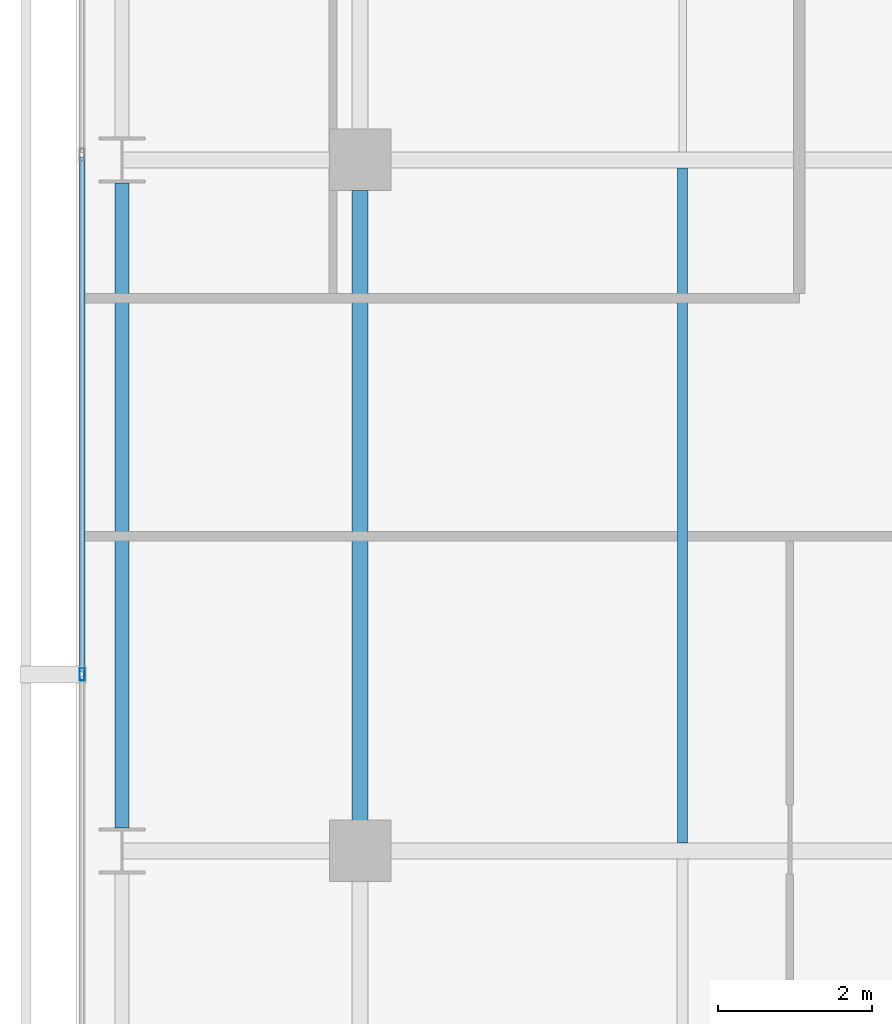
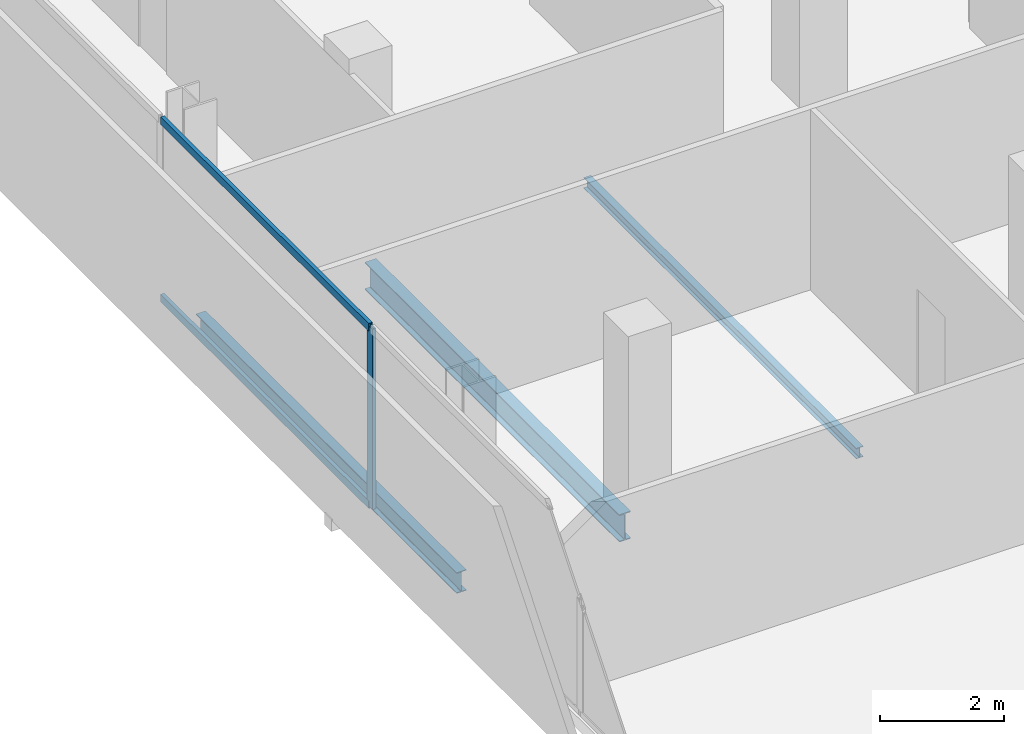
# One storey, part 10 of 32: 3 beams, 3 members, 1 element without a shape of its own.
"""IFC4 building model written with IfcOpenShell, lengths in metres."""

import ifcopenshell
import ifcopenshell.guid

model = None  # the IFC model being written
_history = None  # IfcOwnerHistory: only IFC2X3 demands one
_inside = {}  # id of a spatial element -> (the spatial element, [elements in it])
_under = {}  # id of a project, library or spatial element -> (it, [spatial elements below it])
_declared = {}  # id of a project -> (the project, [libraries it declares])
_typed = {}  # id of a type object -> (the type object, [elements of that type])
_made_of = {}  # id of a material, layer set ... -> (it, [elements and type objects made of it])


def new_model(schema):
    """Start an empty IFC model of exactly this schema.

    Asked for "IFC4X3", IfcOpenShell would pick the latest addendum, in which some entities
    have other attributes; the version numbers below select the first issue.
    IFC2X3 requires an IfcOwnerHistory on every rooted entity: one is made here for all.
    """
    global model, _history
    if schema == "IFC4X3":
        model = ifcopenshell.file(schema_version=(4, 3, 0, 0))
    else:
        model = ifcopenshell.file(schema=schema)
    _inside.clear()
    _under.clear()
    _declared.clear()
    _typed.clear()
    _made_of.clear()
    _history = None
    if model.schema == "IFC2X3":
        org = make("IfcOrganization", Name="unknown")
        user = make(
            "IfcPersonAndOrganization",
            ThePerson=make("IfcPerson", FamilyName="unknown"),
            TheOrganization=org,
        )
        app = make(
            "IfcApplication",
            ApplicationDeveloper=org,
            Version="unknown",
            ApplicationFullName="unknown",
            ApplicationIdentifier="unknown",
        )
        _history = make(
            "IfcOwnerHistory",
            OwningUser=user,
            OwningApplication=app,
            ChangeAction="ADDED",
            CreationDate=0,
        )
    return model


def make(cls, **values):
    """One entity of the class cls with the attributes given. An attribute that is None is left unset."""
    return model.create_entity(
        cls, **{name: value for name, value in values.items() if value is not None}
    )


def rooted(cls, **values):
    """An entity with a GlobalId (a new one), such as an element, a storey or a relation."""
    return make(cls, GlobalId=ifcopenshell.guid.new(), OwnerHistory=_history, **values)


def si_unit(unit_type, name, prefix=None):
    """IfcSIUnit, for example si_unit("LENGTHUNIT", "METRE", prefix="MILLI")."""
    return make("IfcSIUnit", UnitType=unit_type, Prefix=prefix, Name=name)


def assignment(units):
    """IfcUnitAssignment: the units of a project."""
    return None if units is None else make("IfcUnitAssignment", Units=units)


def point(xyz):
    """IfcCartesianPoint."""
    return None if xyz is None else make("IfcCartesianPoint", Coordinates=xyz)


def direction(xyz):
    """IfcDirection."""
    return None if xyz is None else make("IfcDirection", DirectionRatios=xyz)


def frame(location, z_axis=None, x_axis=None):
    """IfcAxis2Placement3D, a coordinate frame: its origin and axes. An axis left out is left unset."""
    return make(
        "IfcAxis2Placement3D",
        Location=point(location),
        Axis=direction(z_axis),
        RefDirection=direction(x_axis),
    )


def frame_2d(location, x_axis=None):
    """IfcAxis2Placement2D, a coordinate frame in the plane: its origin and x axis."""
    return make(
        "IfcAxis2Placement2D", Location=point(location), RefDirection=direction(x_axis)
    )


def origin():
    """The frame at (0, 0, 0) with its axes left unset."""
    return frame((0.0, 0.0, 0.0))


def origin_2d():
    """The frame at (0, 0) in the plane with its x axis left unset."""
    return frame_2d((0.0, 0.0))


def place(relative_to, where):
    """IfcLocalPlacement: puts the frame where relative to a parent placement (None: the world)."""
    return make(
        "IfcLocalPlacement", PlacementRelTo=relative_to, RelativePlacement=where
    )


def context(
    kind, dimensions, precision=None, world=None, true_north=None, identifier=None
):
    """IfcGeometricRepresentationContext, for example the 3D "Model" context."""
    return make(
        "IfcGeometricRepresentationContext",
        ContextIdentifier=identifier,
        ContextType=kind,
        CoordinateSpaceDimension=dimensions,
        Precision=precision,
        WorldCoordinateSystem=world,
        TrueNorth=true_north,
    )


def subcontext(parent, identifier, kind, view, scale=None):
    """IfcGeometricRepresentationSubContext, for example "Body" below "Model"."""
    return make(
        "IfcGeometricRepresentationSubContext",
        ContextIdentifier=identifier,
        ContextType=kind,
        ParentContext=parent,
        TargetScale=scale,
        TargetView=view,
    )


def project(units=None, contexts=None):
    """IfcProject with its units and contexts."""
    return rooted(
        "IfcProject",
        Name="project",
        RepresentationContexts=contexts,
        UnitsInContext=assignment(units),
    )


def spatial(cls, under=None, at=None, **own):
    """A site, building, storey or space (cls), placed at a placement, below another one or the project."""
    s = rooted(cls, ObjectPlacement=at, **own)
    if under is not None:
        _under.setdefault(under.id(), (under, []))[1].append(s)
    return s


def profile(cls, at=None, kind="AREA", **sizes):
    """A parametric profile (cls). Its sizes go by their IFC names, for example OverallWidth=200.0."""
    return make(cls, ProfileType=kind, Position=at, **sizes)


def hollow_rectangle(**sizes):
    """IfcRectangleHollowProfileDef."""
    return profile("IfcRectangleHollowProfileDef", **sizes)


def i_section(**sizes):
    """IfcIShapeProfileDef."""
    return profile("IfcIShapeProfileDef", **sizes)


def extrude(swept, where, along, depth):
    """IfcExtrudedAreaSolid: the profile swept, set in the frame where, extruded along a direction by depth."""
    return make(
        "IfcExtrudedAreaSolid",
        SweptArea=swept,
        Position=where,
        ExtrudedDirection=direction(along),
        Depth=depth,
    )


def shape(context_of_items, identifier, shape_type, items):
    """IfcShapeRepresentation: the items that make up one representation, for example the "Body"."""
    return make(
        "IfcShapeRepresentation",
        ContextOfItems=context_of_items,
        RepresentationIdentifier=identifier,
        RepresentationType=shape_type,
        Items=items,
    )


def material(Name=None, Category=None):
    """IfcMaterial."""
    return make("IfcMaterial", Name=Name, Category=Category)


def layer(
    of_material, thickness, ventilated=None, Name=None, Category=None, Priority=None
):
    """IfcMaterialLayer: one layer of a wall or slab, of a material (None: an air gap)."""
    return make(
        "IfcMaterialLayer",
        Material=of_material,
        LayerThickness=thickness,
        IsVentilated=ventilated,
        Name=Name,
        Category=Category,
        Priority=Priority,
    )


def layer_set(layers, Name=None):
    """IfcMaterialLayerSet."""
    return make("IfcMaterialLayerSet", MaterialLayers=layers, LayerSetName=Name)


def material_profile(
    of_material, cross_section, Name=None, Category=None, Priority=None
):
    """IfcMaterialProfile: a cross section and its material."""
    return make(
        "IfcMaterialProfile",
        Name=Name,
        Material=of_material,
        Profile=cross_section,
        Priority=Priority,
        Category=Category,
    )


def profile_set(profiles, Name=None, composite=None):
    """IfcMaterialProfileSet."""
    return make(
        "IfcMaterialProfileSet",
        Name=Name,
        MaterialProfiles=profiles,
        CompositeProfile=composite,
    )


def made_of(thing, what):
    """Note that an element or type object is made of a material, layer set ...; save() writes the relation."""
    if what is not None:
        _made_of.setdefault(what.id(), (what, []))[1].append(thing)
    return thing


def type_object(cls, material=None, **own):
    """A type object (cls), such as IfcWallType, which elements share."""
    return made_of(rooted(cls, **own), material)


def element(
    cls,
    number,
    at=None,
    inside=None,
    cuts=None,
    type_object=None,
    material=None,
    context=None,
    identifier="Body",
    shape_type=None,
    held_by="IfcProductDefinitionShape",
    body=None,
    shapes=None,
    **own,
):
    """One element of the class cls, such as IfcWall. Its Tag is "e" and its number.

    at: its placement. inside: the storey or other place that contains it. cuts: it is an
    opening in that element (IfcRelVoidsElement). A single representation is given by context,
    identifier, shape_type and body (its items); several are given by shapes. held_by: the class
    of the entity that holds the representations. save() writes the other relations.
    """
    e = rooted(cls, Tag="e%d" % number, ObjectPlacement=at, **own)
    if body is not None:
        shapes = [shape(context, identifier, shape_type, body)]
    if shapes is not None:
        e.Representation = make(held_by, Representations=shapes)
    if inside is not None:
        _inside.setdefault(inside.id(), (inside, []))[1].append(e)
    if cuts is not None:
        rooted(
            "IfcRelVoidsElement", RelatingBuildingElement=cuts, RelatedOpeningElement=e
        )
    if type_object is not None:
        _typed.setdefault(type_object.id(), (type_object, []))[1].append(e)
    return made_of(e, material)


def aggregate(whole, parts):
    """IfcRelAggregates: a whole, such as a stair, and the parts it consists of."""
    return rooted("IfcRelAggregates", RelatingObject=whole, RelatedObjects=parts)


def save(model, path):
    """Write the relations noted so far, then the file.

    IfcRelAggregates (storeys below a building ...), IfcRelContainedInSpatialStructure (elements
    in a storey), IfcRelDefinesByType, IfcRelAssociatesMaterial and IfcRelDeclares: one each for
    every whole, place, type object, material and project.
    """
    for whole, parts in _under.values():
        aggregate(whole, parts)
    for where, things in _inside.values():
        rooted(
            "IfcRelContainedInSpatialStructure",
            RelatedElements=things,
            RelatingStructure=where,
        )
    for kind, things in _typed.values():
        rooted("IfcRelDefinesByType", RelatedObjects=things, RelatingType=kind)
    for what, things in _made_of.values():
        rooted("IfcRelAssociatesMaterial", RelatedObjects=things, RelatingMaterial=what)
    for by, libraries in _declared.values():
        rooted("IfcRelDeclares", RelatingContext=by, RelatedDefinitions=libraries)
    model.write(path)


model = new_model("IFC4")

# Units and contexts
model_context = context("Model", 3, precision=1e-05, world=origin(), true_north=direction((0.0, 1.0)))
body_context = subcontext(model_context, "Body", "Model", "MODEL_VIEW")
ifc_project = project(units=[si_unit("LENGTHUNIT", "METRE"), si_unit("AREAUNIT", "SQUARE_METRE"), si_unit("VOLUMEUNIT", "CUBIC_METRE"), si_unit("PLANEANGLEUNIT", "RADIAN"), si_unit("MASSUNIT", "GRAM", prefix="KILO")], contexts=[model_context])

# Site, building, storey
site_placement = place(None, origin())
site = spatial("IfcSite", under=ifc_project, at=site_placement, CompositionType="ELEMENT")
building_placement = place(site_placement, origin())
building = spatial("IfcBuilding", under=site, at=building_placement, Name="Maruvema Waterfront Hotel and Observation Tower", CompositionType="ELEMENT")
storey_placement = place(building_placement, frame((0.0, 0.0, 223.64990234375)))
storey = spatial("IfcBuildingStorey", under=building, at=storey_placement, Name="L55", CompositionType="ELEMENT", Elevation=223.64990234375)

# Curtain wall, members
ifc_material_1 = material(Name="Anodised bronze aluminium and solar-control low-E IGU", Category="aluminium")
ifc_layer = layer(ifc_material_1, 0.159912109375, Name="Zone 2 Amber Inner Thermal Curtain Wall System CW-03")
ifc_layer_set = layer_set([ifc_layer], Name="Anodised bronze aluminium and solar-control low-E IGU")
curtain_wall_type = type_object("IfcCurtainWallType", Name="Zone 2 Amber Inner Thermal Curtain Wall System CW-03", PredefinedType="USERDEFINED", material=ifc_layer_set)
curtain_wall_placement = place(storey_placement, origin())
curtain_wall = element("IfcCurtainWall", 1, at=curtain_wall_placement, inside=storey, type_object=curtain_wall_type, Name="L55 Curtain Wall CW-L55-W", ObjectType="UNITISED CURTAIN WALL", PredefinedType="USERDEFINED")
ifc_material_2 = material(Name="Anodised architectural bronze aluminium", Category="aluminium")
ifc_material_profile_1 = material_profile(ifc_material_2, hollow_rectangle(XDim=0.070068359375, YDim=0.14990234375, WallThickness=0.00390625, at=origin_2d()), Name="ALU-T70x150")
ifc_profile_set_1 = profile_set([ifc_material_profile_1], Name="Anodised architectural bronze aluminium")
member_type_1 = type_object("IfcMemberType", Name="Curtain Wall Horizontal Transom ALU-T70x150", PredefinedType="USERDEFINED", material=ifc_profile_set_1)
member_1_placement = place(storey_placement, frame((13.179931640625, 36.03662109375, 0.030029296875), z_axis=(0.0, -1.0, 0.0), x_axis=(1.0, 0.0, 0.0)))
member_1 = element("IfcMember", 2, at=member_1_placement, type_object=member_type_1, Name="CW-03 transom 3.1", ObjectType="TRANSOM", PredefinedType="USERDEFINED", context=body_context, shape_type="SweptSolid", body=[
    extrude(hollow_rectangle(XDim=0.070068359375, YDim=0.14990234375, WallThickness=0.00390625, at=origin_2d()), origin(), (0.0, 0.0, 1.0), 6.70654296875),
])
member_2_placement = place(storey_placement, frame((13.179931640625, 36.03662109375, 3.52001953125), z_axis=(0.0, -1.0, 0.0), x_axis=(1.0, 0.0, 0.0)))
member_2 = element("IfcMember", 3, at=member_2_placement, type_object=member_type_1, Name="CW-03 transom 3.2", ObjectType="TRANSOM", PredefinedType="USERDEFINED", context=body_context, shape_type="SweptSolid", body=[
    extrude(hollow_rectangle(XDim=0.070068359375, YDim=0.14990234375, WallThickness=0.00390625, at=origin_2d()), origin(), (0.0, 0.0, 1.0), 6.70654296875),
])
ifc_material_3 = material(Name="Anodised architectural bronze aluminium", Category="aluminium")
ifc_material_profile_2 = material_profile(ifc_material_3, hollow_rectangle(XDim=0.06494140625, YDim=0.1650390625, WallThickness=0.00390625, at=origin_2d()), Name="ALU-M65x165")
ifc_profile_set_2 = profile_set([ifc_material_profile_2], Name="Anodised architectural bronze aluminium")
member_type_2 = type_object("IfcMemberType", Name="Curtain Wall Primary Mullion ALU-M65x165", PredefinedType="MULLION", material=ifc_profile_set_2)
member_3_placement = place(storey_placement, frame((13.179931640625, 29.300048828125, 0.0), z_axis=(0.0, 0.0, 1.0), x_axis=(1.0, 0.0, 0.0)))
member_3 = element("IfcMember", 4, at=member_3_placement, type_object=member_type_2, Name="CW-03 mullion 4", PredefinedType="MULLION", context=body_context, shape_type="SweptSolid", body=[
    extrude(hollow_rectangle(XDim=0.06494140625, YDim=0.1650390625, WallThickness=0.00390625, at=origin_2d()), origin(), (0.0, 0.0, 1.0), 3.550048828125),
])
aggregate(curtain_wall, [member_3, member_1, member_2])

# Beams
ifc_material_4 = material(Name="Steel ASTM A572 Grade 50", Category="steel")
ifc_material_profile_3 = material_profile(ifc_material_4, i_section(OverallWidth=0.178955078125, OverallDepth=0.409912109375, WebThickness=0.0087890625, FlangeThickness=0.014404296875, FilletRadius=0.014892578125, at=origin_2d()), Name="W410x67.0")
ifc_profile_set_3 = profile_set([ifc_material_profile_3], Name="Steel ASTM A572 Grade 50")
beam_type_1 = type_object("IfcBeamType", Name="Perimeter Spandrel Beam W410x67.0", PredefinedType="SPANDREL", material=ifc_profile_set_3)
beam_1_placement = place(storey_placement, frame((13.699951171875, 27.300048828125, -0.44482421875), z_axis=(0.0, 1.0, 0.0), x_axis=(-1.0, 0.0, 0.0)))
element("IfcBeam", 5, at=beam_1_placement, inside=storey, type_object=beam_type_1, Name="L55 Floor Girder NS-03", PredefinedType="SPANDREL", context=body_context, shape_type="SweptSolid", body=[
    extrude(i_section(OverallWidth=0.178955078125, OverallDepth=0.409912109375, WebThickness=0.0087890625, FlangeThickness=0.014404296875, FilletRadius=0.014892578125, at=origin_2d()), origin(), (0.0, 0.0, 1.0), 8.39990234375),
])
ifc_material_5 = material(Name="Steel ASTM A572 Grade 50", Category="steel")
ifc_material_profile_4 = material_profile(ifc_material_5, i_section(OverallWidth=0.2109375, OverallDepth=0.5390625, WebThickness=0.01171875, FlangeThickness=0.018798828125, FilletRadius=0.014892578125, at=origin_2d()), Name="W530x109.0")
ifc_profile_set_4 = profile_set([ifc_material_profile_4], Name="Steel ASTM A572 Grade 50")
beam_type_2 = type_object("IfcBeamType", Name="Primary Floor Girder W530x109.0", PredefinedType="BEAM", material=ifc_profile_set_4)
beam_2_placement = place(storey_placement, frame((16.800048828125, 27.39990234375, -0.509521484375), z_axis=(0.0, 1.0, 0.0), x_axis=(-1.0, 0.0, 0.0)))
element("IfcBeam", 6, at=beam_2_placement, inside=storey, type_object=beam_type_2, Name="L55 Floor Girder NS-07", PredefinedType="BEAM", context=body_context, shape_type="SweptSolid", body=[
    extrude(i_section(OverallWidth=0.2109375, OverallDepth=0.5390625, WebThickness=0.01171875, FlangeThickness=0.018798828125, FilletRadius=0.014892578125, at=origin_2d()), origin(), (0.0, 0.0, 1.0), 8.2001953125),
])
ifc_material_6 = material(Name="Steel ASTM A572 Grade 50", Category="steel")
ifc_material_profile_5 = material_profile(ifc_material_6, i_section(OverallWidth=0.133056640625, OverallDepth=0.20703125, WebThickness=0.005859375, FlangeThickness=0.00830078125, FilletRadius=0.010009765625, at=origin_2d()), Name="W200x26.6")
ifc_profile_set_5 = profile_set([ifc_material_profile_5], Name="Steel ASTM A572 Grade 50")
beam_type_3 = type_object("IfcBeamType", Name="Secondary Floor Joist W200x26.6", PredefinedType="JOIST", material=ifc_profile_set_5)
beam_3_placement = place(storey_placement, frame((21.0, 27.10546875, -0.343505859375), z_axis=(0.0, 1.0, 0.0), x_axis=(-1.0, 0.0, 0.0)))
element("IfcBeam", 7, at=beam_3_placement, inside=storey, type_object=beam_type_3, Name="L55 Secondary Floor Joist JS-03", PredefinedType="JOIST", context=body_context, shape_type="SweptSolid", body=[
    extrude(i_section(OverallWidth=0.133056640625, OverallDepth=0.20703125, WebThickness=0.005859375, FlangeThickness=0.00830078125, FilletRadius=0.010009765625, at=origin_2d()), origin(), (0.0, 0.0, 1.0), 8.7890625),
])

save(model, "model.ifc")
